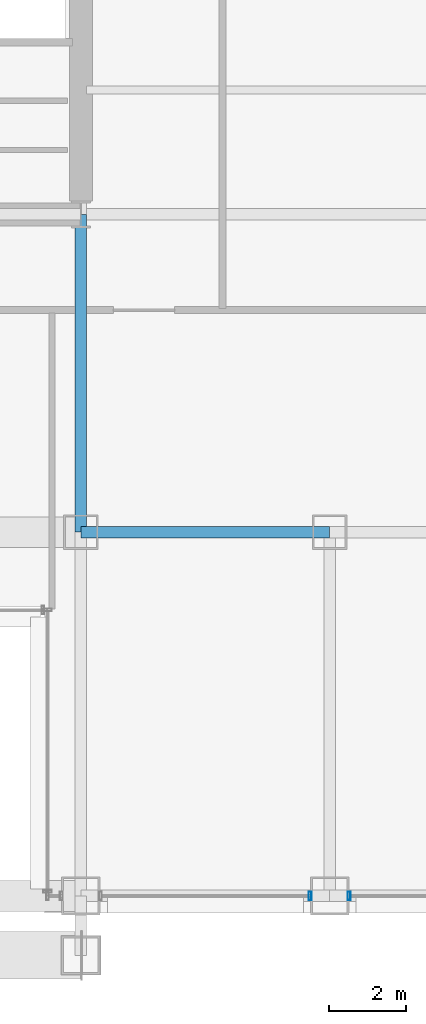
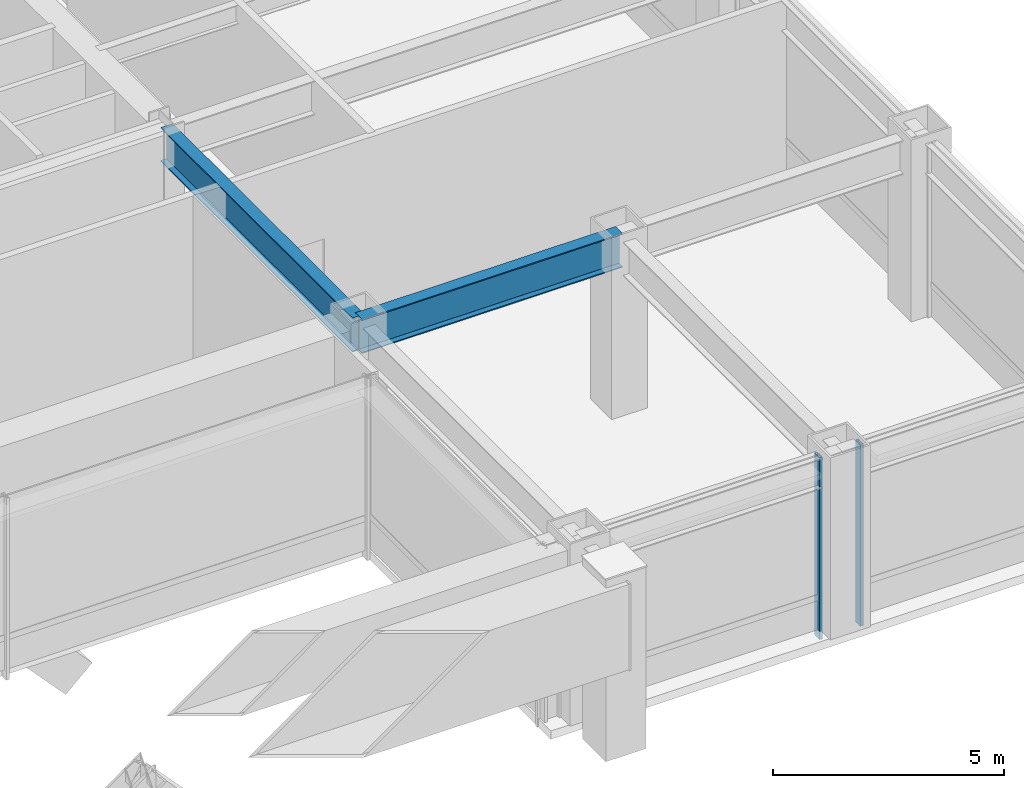
# One storey, part 10 of 37: 2 beams, 2 members, 2 elements without a shape of their own.
"""IFC4 building model written with IfcOpenShell, lengths in metres."""

from ifc_helpers import new_model, si_unit, direction, frame, origin, origin_2d, place, context, subcontext, project, spatial, hollow_rectangle, i_section, extrude, material, layer, layer_set, material_profile, profile_set, type_object, element, aggregate, save


model = new_model("IFC4")

# Units and contexts
model_context = context("Model", 3, precision=1e-05, world=origin(), true_north=direction((0.0, 1.0)))
body_context = subcontext(model_context, "Body", "Model", "MODEL_VIEW")
ifc_project = project(units=[si_unit("LENGTHUNIT", "METRE"), si_unit("AREAUNIT", "SQUARE_METRE"), si_unit("VOLUMEUNIT", "CUBIC_METRE"), si_unit("PLANEANGLEUNIT", "RADIAN"), si_unit("MASSUNIT", "GRAM", prefix="KILO")], contexts=[model_context])

# Site, building, storey
site_placement = place(None, origin())
site = spatial("IfcSite", under=ifc_project, at=site_placement, CompositionType="ELEMENT")
building_placement = place(site_placement, origin())
building = spatial("IfcBuilding", under=site, at=building_placement, Name="Brelmoor Portico Tower", CompositionType="ELEMENT")
storey_placement = place(building_placement, frame((0.0, 0.0, 14.39990234375)))
storey = spatial("IfcBuildingStorey", under=building, at=storey_placement, Name="L03", CompositionType="ELEMENT", Elevation=14.39990234375)

# Beams
ifc_material_1 = material(Name="Steel Q355B", Category="steel")
ifc_material_profile_1 = material_profile(ifc_material_1, i_section(OverallWidth=0.300048828125, OverallDepth=0.89990234375, WebThickness=0.01611328125, FlangeThickness=0.028076171875, at=origin_2d()), Name="HN 900x300x16x28")
ifc_profile_set_1 = profile_set([ifc_material_profile_1], Name="Steel Q355B")
beam_type = type_object("IfcBeamType", Name="BM-PG-900", PredefinedType="BEAM", material=ifc_profile_set_1)
beam_1_placement = place(storey_placement, frame((14.550048828125, -18.050048828125, 4.130126953125), z_axis=(0.0, 1.0, 0.0), x_axis=(-1.0, 0.0, 0.0)))
element("IfcBeam", 1, at=beam_1_placement, inside=storey, type_object=beam_type, Name="L03 Primary Floor Girder PG-13", PredefinedType="BEAM", context=body_context, shape_type="SweptSolid", body=[
    extrude(i_section(OverallWidth=0.300048828125, OverallDepth=0.89990234375, WebThickness=0.01611328125, FlangeThickness=0.028076171875, at=origin_2d()), origin(), (0.0, 0.0, 1.0), 8.300048828125),
])
beam_2_placement = place(storey_placement, frame((14.550048828125, -18.050048828125, 4.130126953125), z_axis=(1.0, 0.0, 0.0), x_axis=(0.0, 1.0, 0.0)))
element("IfcBeam", 2, at=beam_2_placement, inside=storey, type_object=beam_type, Name="L03 Primary Floor Girder PG-23", PredefinedType="BEAM", context=body_context, shape_type="SweptSolid", body=[
    extrude(i_section(OverallWidth=0.300048828125, OverallDepth=0.89990234375, WebThickness=0.01611328125, FlangeThickness=0.028076171875, at=origin_2d()), origin(), (0.0, 0.0, 1.0), 6.5),
])

# Curtain wall, member
ifc_material_2 = material(Name="Anodised Aluminium Alloy 6063-T6", Category="aluminium")
ifc_layer = layer(ifc_material_2, 0.179931640625)
ifc_layer_set = layer_set([ifc_layer], Name="Anodised Aluminium Alloy 6063-T6")
curtain_wall_type = type_object("IfcCurtainWallType", Name="CW-PODIUM-ARCH", PredefinedType="NOTDEFINED", material=ifc_layer_set)
curtain_wall_1_placement = place(storey_placement, origin())
curtain_wall_1 = element("IfcCurtainWall", 3, at=curtain_wall_1_placement, inside=storey, type_object=curtain_wall_type, Name="L03 Curtain Wall CW-L03-02-2", PredefinedType="NOTDEFINED")
ifc_material_profile_2 = material_profile(ifc_material_2, hollow_rectangle(XDim=0.074951171875, YDim=0.219970703125, WallThickness=0.0048828125, at=origin_2d()), Name="ALU MULLION 75x220")
ifc_profile_set_2 = profile_set([ifc_material_profile_2], Name="Anodised Aluminium Alloy 6063-T6")
member_type = type_object("IfcMemberType", Name="MB-CW-MULL-220", PredefinedType="MULLION", material=ifc_profile_set_2)
member_1_placement = place(storey_placement, frame((20.5400390625, -27.550048828125, -0.219970703125), z_axis=(0.0, 0.0, 1.0), x_axis=(1.0, 0.0, 0.0)))
member_1 = element("IfcMember", 4, at=member_1_placement, type_object=member_type, Name="CW-L03-02-2 Mullion 01", PredefinedType="MULLION", context=body_context, shape_type="SweptSolid", body=[
    extrude(hollow_rectangle(XDim=0.074951171875, YDim=0.219970703125, WallThickness=0.0048828125, at=origin_2d()), origin(), (0.0, 0.0, 1.0), 4.800048828125),
])
aggregate(curtain_wall_1, [member_1])

curtain_wall_2_placement = place(storey_placement, origin())
curtain_wall_2 = element("IfcCurtainWall", 5, at=curtain_wall_2_placement, inside=storey, type_object=curtain_wall_type, Name="L03 Curtain Wall CW-L03-02-3", PredefinedType="NOTDEFINED")
member_2_placement = place(storey_placement, frame((21.56005859375, -27.550048828125, -0.219970703125), z_axis=(0.0, 0.0, 1.0), x_axis=(1.0, 0.0, 0.0)))
member_2 = element("IfcMember", 6, at=member_2_placement, type_object=member_type, Name="CW-L03-02-3 Mullion 00", PredefinedType="MULLION", context=body_context, shape_type="SweptSolid", body=[
    extrude(hollow_rectangle(XDim=0.074951171875, YDim=0.219970703125, WallThickness=0.0048828125, at=origin_2d()), origin(), (0.0, 0.0, 1.0), 4.800048828125),
])
aggregate(curtain_wall_2, [member_2])

save(model, "model.ifc")
